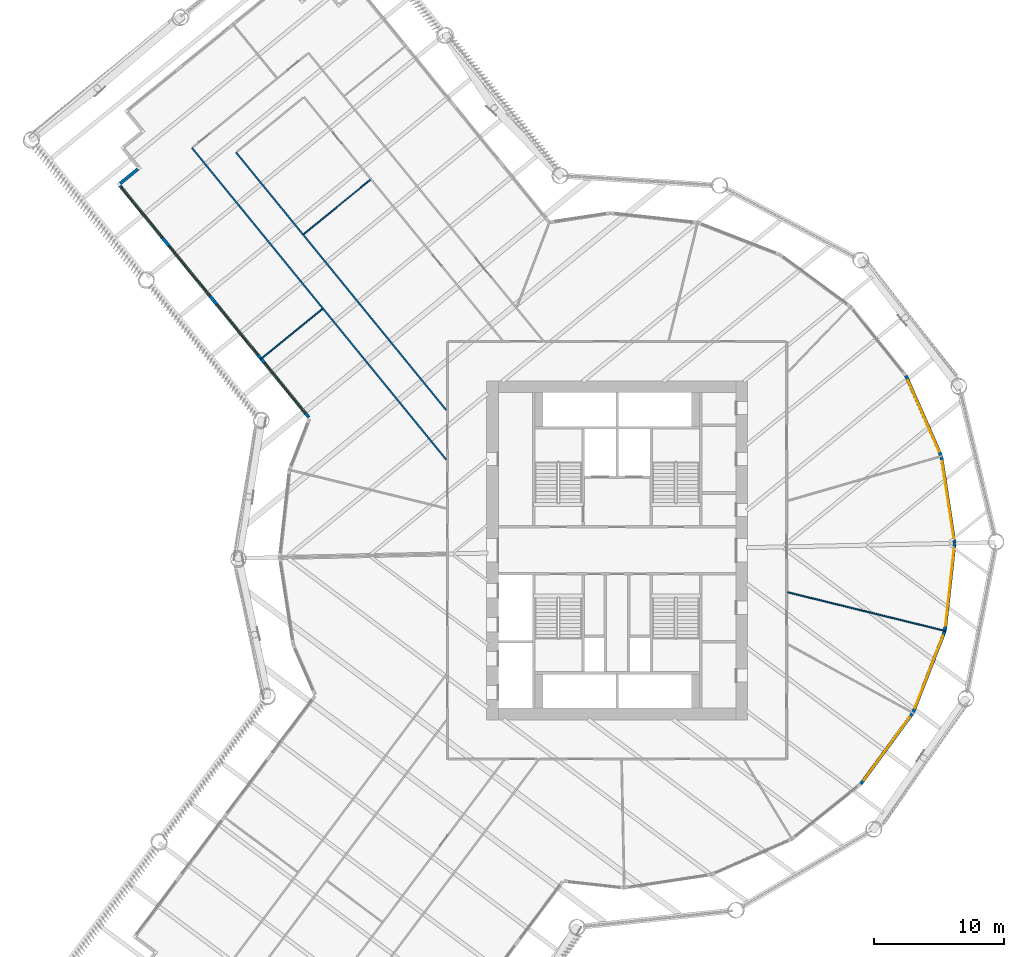
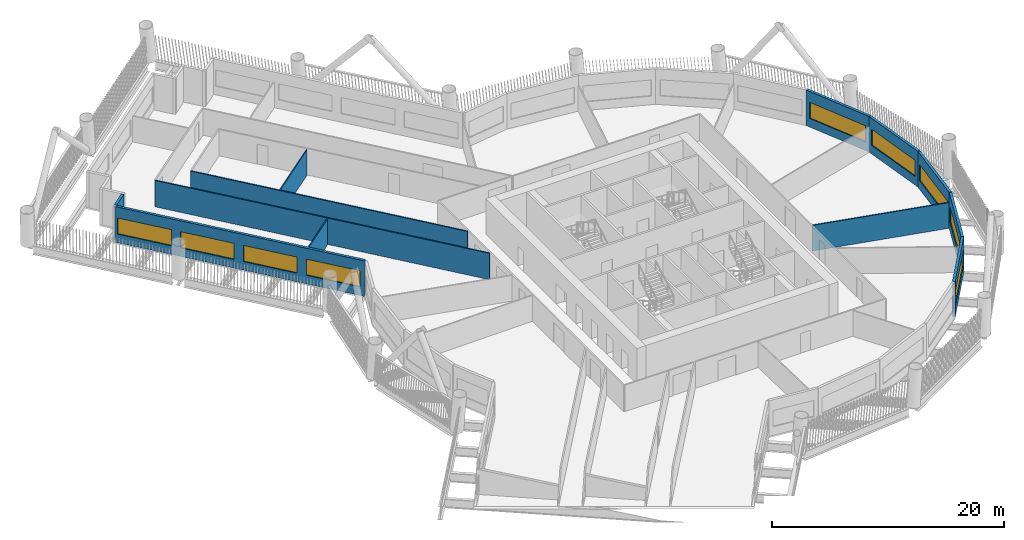
# One storey, part 6 of 22: 12 walls, 9 windows, 9 openings.
"""IFC4 building model written with IfcOpenShell, lengths in metres."""

from ifc_helpers import new_model, si_unit, direction, frame, frame_2d, origin, place, context, subcontext, project, spatial, rectangle, extrude, material, layer, layer_set, type_object, element, fill, save


model = new_model("IFC4")

# Units and contexts
model_context = context("Model", 3, precision=1e-05, world=origin(), true_north=direction((0.0, 1.0)))
body_context = subcontext(model_context, "Body", "Model", "MODEL_VIEW")
ifc_project = project(units=[si_unit("LENGTHUNIT", "METRE"), si_unit("AREAUNIT", "SQUARE_METRE"), si_unit("VOLUMEUNIT", "CUBIC_METRE"), si_unit("PLANEANGLEUNIT", "RADIAN"), si_unit("MASSUNIT", "GRAM", prefix="KILO")], contexts=[model_context])

# Site, building, storey
site_placement = place(None, origin())
site = spatial("IfcSite", under=ifc_project, at=site_placement, CompositionType="ELEMENT")
building_placement = place(site_placement, origin())
building = spatial("IfcBuilding", under=site, at=building_placement, Name="Tarsis Ring Headquarters", CompositionType="ELEMENT")
storey_placement = place(building_placement, frame((0.0, 0.0, 40.0)))
storey = spatial("IfcBuildingStorey", under=building, at=storey_placement, Name="L07", CompositionType="ELEMENT", Elevation=40.0)

# Walls
ifc_material_1 = material(Name="Gypsum board on steel studs", Category="steel")
ifc_layer_1 = layer(ifc_material_1, 0.10009765625)
ifc_layer_set_1 = layer_set([ifc_layer_1], Name="FL partition 100 unrated")
wall_type_1 = type_object("IfcWallType", Name="FL partition 100 unrated", PredefinedType="PARTITIONING", material=ifc_layer_set_1)
wall_1_placement = place(storey_placement, frame((13.068115234375, -3.209716796875, 0.0), z_axis=(0.0, 0.0, 1.0), x_axis=(0.971131100346, -0.238546402071, 0.0)))
element("IfcWall", 1, at=wall_1_placement, inside=storey, type_object=wall_type_1, Name="Partition PW3", PredefinedType="PARTITIONING", context=body_context, shape_type="SweptSolid", body=[
    extrude(rectangle(XDim=12.4912109375, YDim=0.10009765625, at=frame_2d((6.24560546875, 0.0))), origin(), (0.0, 0.0, 1.0), 2.699951171875),
])
wall_2_placement = place(storey_placement, frame((-24.01953125, 24.24560546875, 0.0), z_axis=(0.0, 0.0, 1.0), x_axis=(0.774948231292, 0.632024713771, 0.0)))
element("IfcWall", 2, at=wall_2_placement, inside=storey, type_object=wall_type_1, Name="Partition PW3", PredefinedType="PARTITIONING", context=body_context, shape_type="SweptSolid", body=[
    extrude(rectangle(XDim=6.579833984375, YDim=0.10009765625, at=frame_2d((3.2900390625, 0.0))), origin(), (0.0, 0.0, 1.0), 2.699951171875),
])
wall_3_placement = place(storey_placement, frame((-27.349365234375, 14.626220703125, 0.0), z_axis=(0.0, 0.0, 1.0), x_axis=(0.774953456967, 0.632018306328, 0.0)))
element("IfcWall", 3, at=wall_3_placement, inside=storey, type_object=wall_type_1, Name="Partition PW3", PredefinedType="PARTITIONING", context=body_context, shape_type="SweptSolid", body=[
    extrude(rectangle(XDim=6.119873046875, YDim=0.10009765625, at=frame_2d((3.06005859375, 0.0))), origin(), (0.0, 0.0, 1.0), 2.699951171875),
])
ifc_layer_2 = layer(ifc_material_1, 0.125)
ifc_layer_set_2 = layer_set([ifc_layer_2], Name="FL partition 125 EI 60 H2770")
wall_type_2 = type_object("IfcWallType", Name="FL partition 125 EI 60 H2770", PredefinedType="PARTITIONING", material=ifc_layer_set_2)
wall_4_placement = place(storey_placement, frame((-32.589111328125, 30.844482421875, 0.0), z_axis=(0.0, 0.0, 1.0), x_axis=(0.63203577022, -0.77493921385, 0.0)))
element("IfcWall", 4, at=wall_4_placement, inside=storey, type_object=wall_type_2, Name="Partition PW1", PredefinedType="PARTITIONING", context=body_context, shape_type="SweptSolid", body=[
    extrude(rectangle(XDim=30.833740234375, YDim=0.125, at=frame_2d((15.4169921875, 0.0))), origin(), (0.0, 0.0, 1.0), 2.77001953125),
])
wall_5_placement = place(storey_placement, frame((-29.212158203125, 30.50146484375, 0.0), z_axis=(0.0, 0.0, 1.0), x_axis=(0.632029115537, -0.774944641322, 0.0)))
element("IfcWall", 5, at=wall_5_placement, inside=storey, type_object=wall_type_2, Name="Partition PW1", PredefinedType="PARTITIONING", context=body_context, shape_type="SweptSolid", body=[
    extrude(rectangle(XDim=25.490966796875, YDim=0.125, at=frame_2d((12.74560546875, 0.0))), origin(), (0.0, 0.0, 1.0), 2.77001953125),
])

# Wall, openings, windows
ifc_material_2 = material(Name="Terracotta clad insulated panel wall", Category="masonry")
ifc_layer_3 = layer(ifc_material_2, 0.25)
ifc_layer_set_3 = layer_set([ifc_layer_3], Name="Facade wall terracotta panel 250")
wall_type_3 = type_object("IfcWallType", Name="Facade wall terracotta panel 250", PredefinedType="STANDARD", material=ifc_layer_set_3)
wall_6_placement = place(storey_placement, frame((-38.117919921875, 27.9482421875, 0.0), z_axis=(0.0, 0.0, 1.0), x_axis=(0.632035847141, -0.774939151114, 0.0)))
wall_6 = element("IfcWall", 6, at=wall_6_placement, inside=storey, type_object=wall_type_3, Name="External wall L07-01", PredefinedType="STANDARD", context=body_context, shape_type="SweptSolid", body=[
    extrude(rectangle(XDim=22.922119140625, YDim=0.25, at=frame_2d((11.4609375, 0.0))), origin(), (0.0, 0.0, 1.0), 3.739990234375),
])
opening_1_placement = place(wall_6_placement, frame((0.17138671875, 0.0, 0.89990234375)))
opening_1 = element("IfcOpeningElement", 7, at=opening_1_placement, cuts=wall_6, Name="Opening WN05", PredefinedType="OPENING", context=body_context, shape_type="SweptSolid", body=[
    extrude(rectangle(XDim=4.949951171875, YDim=1.699951171875, at=frame_2d((2.47509765625, 0.85009765625))), frame((0.0, 0.135009765625, 0.0), z_axis=(0.0, -1.0, 0.0), x_axis=(1.0, 0.0, 0.0)), (0.0, 0.0, 1.0), 0.27001953125),
])
opening_2_placement = place(wall_6_placement, frame((5.964599609375, 0.0, 0.89990234375)))
opening_2 = element("IfcOpeningElement", 8, at=opening_2_placement, cuts=wall_6, Name="Opening WN05", PredefinedType="OPENING", context=body_context, shape_type="SweptSolid", body=[
    extrude(rectangle(XDim=4.949951171875, YDim=1.699951171875, at=frame_2d((2.47509765625, 0.85009765625))), frame((0.0, 0.135009765625, 0.0), z_axis=(0.0, -1.0, 0.0), x_axis=(1.0, 0.0, 0.0)), (0.0, 0.0, 1.0), 0.27001953125),
])
opening_3_placement = place(wall_6_placement, frame((11.757568359375, 0.0, 0.89990234375)))
opening_3 = element("IfcOpeningElement", 9, at=opening_3_placement, cuts=wall_6, Name="Opening WN05", PredefinedType="OPENING", context=body_context, shape_type="SweptSolid", body=[
    extrude(rectangle(XDim=4.949951171875, YDim=1.699951171875, at=frame_2d((2.47509765625, 0.85009765625))), frame((0.0, 0.135009765625, 0.0), z_axis=(0.0, -1.0, 0.0), x_axis=(1.0, 0.0, 0.0)), (0.0, 0.0, 1.0), 0.27001953125),
])
opening_4_placement = place(wall_6_placement, frame((17.550537109375, 0.0, 0.89990234375)))
opening_4 = element("IfcOpeningElement", 10, at=opening_4_placement, cuts=wall_6, Name="Opening WN05", PredefinedType="OPENING", context=body_context, shape_type="SweptSolid", body=[
    extrude(rectangle(XDim=4.949951171875, YDim=1.699951171875, at=frame_2d((2.47509765625, 0.85009765625))), frame((0.0, 0.135009765625, 0.0), z_axis=(0.0, -1.0, 0.0), x_axis=(1.0, 0.0, 0.0)), (0.0, 0.0, 1.0), 0.27001953125),
])
ifc_material_3 = material(Name="Aluminium framed double glazing", Category="aluminium")
window_type_1 = type_object("IfcWindowType", Name="Facade window 4950 x 1700", PartitioningType="SINGLE_PANEL", PredefinedType="WINDOW", material=ifc_material_3)
window_1_placement = place(opening_1_placement, origin())
window_1 = element("IfcWindow", 11, at=window_1_placement, inside=storey, type_object=window_type_1, Name="Window L07-01.1", OverallHeight=1.699951171875, OverallWidth=4.949951171875, PartitioningType="SINGLE_PANEL", PredefinedType="WINDOW", context=body_context, shape_type="SweptSolid", body=[
    extrude(rectangle(XDim=4.949951171875, YDim=1.699951171875, at=frame_2d((2.47509765625, 0.85009765625))), frame((0.0, 0.030029296875, 0.0), z_axis=(0.0, -1.0, 0.0), x_axis=(1.0, 0.0, 0.0)), (0.0, 0.0, 1.0), 0.06005859375),
])
fill(opening_1, window_1)
window_2_placement = place(opening_2_placement, origin())
window_2 = element("IfcWindow", 12, at=window_2_placement, inside=storey, type_object=window_type_1, Name="Window L07-01.2", OverallHeight=1.699951171875, OverallWidth=4.949951171875, PartitioningType="SINGLE_PANEL", PredefinedType="WINDOW", context=body_context, shape_type="SweptSolid", body=[
    extrude(rectangle(XDim=4.949951171875, YDim=1.699951171875, at=frame_2d((2.47509765625, 0.85009765625))), frame((0.0, 0.030029296875, 0.0), z_axis=(0.0, -1.0, 0.0), x_axis=(1.0, 0.0, 0.0)), (0.0, 0.0, 1.0), 0.06005859375),
])
fill(opening_2, window_2)
window_3_placement = place(opening_3_placement, origin())
window_3 = element("IfcWindow", 13, at=window_3_placement, inside=storey, type_object=window_type_1, Name="Window L07-01.3", OverallHeight=1.699951171875, OverallWidth=4.949951171875, PartitioningType="SINGLE_PANEL", PredefinedType="WINDOW", context=body_context, shape_type="SweptSolid", body=[
    extrude(rectangle(XDim=4.949951171875, YDim=1.699951171875, at=frame_2d((2.47509765625, 0.85009765625))), frame((0.0, 0.030029296875, 0.0), z_axis=(0.0, -1.0, 0.0), x_axis=(1.0, 0.0, 0.0)), (0.0, 0.0, 1.0), 0.06005859375),
])
fill(opening_3, window_3)
window_4_placement = place(opening_4_placement, origin())
window_4 = element("IfcWindow", 14, at=window_4_placement, inside=storey, type_object=window_type_1, Name="Window L07-01.4", OverallHeight=1.699951171875, OverallWidth=4.949951171875, PartitioningType="SINGLE_PANEL", PredefinedType="WINDOW", context=body_context, shape_type="SweptSolid", body=[
    extrude(rectangle(XDim=4.949951171875, YDim=1.699951171875, at=frame_2d((2.47509765625, 0.85009765625))), frame((0.0, 0.030029296875, 0.0), z_axis=(0.0, -1.0, 0.0), x_axis=(1.0, 0.0, 0.0)), (0.0, 0.0, 1.0), 0.06005859375),
])
fill(opening_4, window_4)

# Wall, opening, window
wall_7_placement = place(storey_placement, frame((18.6845703125, -17.895263671875, 0.0), z_axis=(0.0, 0.0, 1.0), x_axis=(0.592002776723, 0.805935923229, 0.0)))
wall_7 = element("IfcWall", 15, at=wall_7_placement, inside=storey, type_object=wall_type_3, Name="External wall L07-21", PredefinedType="STANDARD", context=body_context, shape_type="SweptSolid", body=[
    extrude(rectangle(XDim=6.7216796875, YDim=0.25, at=frame_2d((3.36083984375, 0.0))), origin(), (0.0, 0.0, 1.0), 3.739990234375),
])
opening_5_placement = place(wall_7_placement, frame((0.3857421875, 0.0, 0.89990234375)))
opening_5 = element("IfcOpeningElement", 16, at=opening_5_placement, cuts=wall_7, Name="Opening WN07", PredefinedType="OPENING", context=body_context, shape_type="SweptSolid", body=[
    extrude(rectangle(XDim=5.949951171875, YDim=1.699951171875, at=frame_2d((2.97509765625, 0.85009765625))), frame((0.0, 0.135009765625, 0.0), z_axis=(0.0, -1.0, 0.0), x_axis=(1.0, 0.0, 0.0)), (0.0, 0.0, 1.0), 0.27001953125),
])
window_type_2 = type_object("IfcWindowType", Name="Facade window 5950 x 1700", PartitioningType="SINGLE_PANEL", PredefinedType="WINDOW", material=ifc_material_3)
window_5_placement = place(opening_5_placement, origin())
window_5 = element("IfcWindow", 17, at=window_5_placement, inside=storey, type_object=window_type_2, Name="Window L07-21.1", OverallHeight=1.699951171875, OverallWidth=5.949951171875, PartitioningType="SINGLE_PANEL", PredefinedType="WINDOW", context=body_context, shape_type="SweptSolid", body=[
    extrude(rectangle(XDim=5.949951171875, YDim=1.699951171875, at=frame_2d((2.97509765625, 0.85009765625))), frame((0.0, 0.030029296875, 0.0), z_axis=(0.0, -1.0, 0.0), x_axis=(1.0, 0.0, 0.0)), (0.0, 0.0, 1.0), 0.06005859375),
])
fill(opening_5, window_5)

wall_8_placement = place(storey_placement, frame((22.679443359375, -12.449462890625, 0.0), z_axis=(0.0, 0.0, 1.0), x_axis=(0.36325416291, 0.931690084271, 0.0)))
wall_8 = element("IfcWall", 18, at=wall_8_placement, inside=storey, type_object=wall_type_3, Name="External wall L07-22", PredefinedType="STANDARD", context=body_context, shape_type="SweptSolid", body=[
    extrude(rectangle(XDim=6.7216796875, YDim=0.25, at=frame_2d((3.36083984375, 0.0))), origin(), (0.0, 0.0, 1.0), 3.739990234375),
])
opening_6_placement = place(wall_8_placement, frame((0.3857421875, 0.0, 0.89990234375)))
opening_6 = element("IfcOpeningElement", 19, at=opening_6_placement, cuts=wall_8, Name="Opening WN07", PredefinedType="OPENING", context=body_context, shape_type="SweptSolid", body=[
    extrude(rectangle(XDim=5.949951171875, YDim=1.699951171875, at=frame_2d((2.97509765625, 0.85009765625))), frame((0.0, 0.135009765625, 0.0), z_axis=(0.0, -1.0, 0.0), x_axis=(1.0, 0.0, 0.0)), (0.0, 0.0, 1.0), 0.27001953125),
])
window_6_placement = place(opening_6_placement, origin())
window_6 = element("IfcWindow", 20, at=window_6_placement, inside=storey, type_object=window_type_2, Name="Window L07-22.1", OverallHeight=1.699951171875, OverallWidth=5.949951171875, PartitioningType="SINGLE_PANEL", PredefinedType="WINDOW", context=body_context, shape_type="SweptSolid", body=[
    extrude(rectangle(XDim=5.949951171875, YDim=1.699951171875, at=frame_2d((2.97509765625, 0.85009765625))), frame((0.0, 0.030029296875, 0.0), z_axis=(0.0, -1.0, 0.0), x_axis=(1.0, 0.0, 0.0)), (0.0, 0.0, 1.0), 0.06005859375),
])
fill(opening_6, window_6)

wall_9_placement = place(storey_placement, frame((25.12890625, -6.155517578125, 0.0), z_axis=(0.0, 0.0, 1.0), x_axis=(0.109729856824, 0.993961447201, 0.0)))
wall_9 = element("IfcWall", 21, at=wall_9_placement, inside=storey, type_object=wall_type_3, Name="External wall L07-23", PredefinedType="STANDARD", context=body_context, shape_type="SweptSolid", body=[
    extrude(rectangle(XDim=6.721435546875, YDim=0.25, at=frame_2d((3.36083984375, 0.0))), origin(), (0.0, 0.0, 1.0), 3.739990234375),
])
opening_7_placement = place(wall_9_placement, frame((0.3857421875, 0.0, 0.89990234375)))
opening_7 = element("IfcOpeningElement", 22, at=opening_7_placement, cuts=wall_9, Name="Opening WN07", PredefinedType="OPENING", context=body_context, shape_type="SweptSolid", body=[
    extrude(rectangle(XDim=5.949951171875, YDim=1.699951171875, at=frame_2d((2.97509765625, 0.85009765625))), frame((0.0, 0.135009765625, 0.0), z_axis=(0.0, -1.0, 0.0), x_axis=(1.0, 0.0, 0.0)), (0.0, 0.0, 1.0), 0.27001953125),
])
window_7_placement = place(opening_7_placement, origin())
window_7 = element("IfcWindow", 23, at=window_7_placement, inside=storey, type_object=window_type_2, Name="Window L07-23.1", OverallHeight=1.699951171875, OverallWidth=5.949951171875, PartitioningType="SINGLE_PANEL", PredefinedType="WINDOW", context=body_context, shape_type="SweptSolid", body=[
    extrude(rectangle(XDim=5.949951171875, YDim=1.699951171875, at=frame_2d((2.97509765625, 0.85009765625))), frame((0.0, 0.030029296875, 0.0), z_axis=(0.0, -1.0, 0.0), x_axis=(1.0, 0.0, 0.0)), (0.0, 0.0, 1.0), 0.06005859375),
])
fill(opening_7, window_7)

wall_10_placement = place(storey_placement, frame((25.86572265625, 0.55810546875, 0.0), z_axis=(0.0, 0.0, 1.0), x_axis=(-0.151243777454, 0.988496494572, 0.0)))
wall_10 = element("IfcWall", 24, at=wall_10_placement, inside=storey, type_object=wall_type_3, Name="External wall L07-24", PredefinedType="STANDARD", context=body_context, shape_type="SweptSolid", body=[
    extrude(rectangle(XDim=6.7216796875, YDim=0.25, at=frame_2d((3.36083984375, 0.0))), origin(), (0.0, 0.0, 1.0), 3.739990234375),
])
opening_8_placement = place(wall_10_placement, frame((0.3857421875, 0.0, 0.89990234375)))
opening_8 = element("IfcOpeningElement", 25, at=opening_8_placement, cuts=wall_10, Name="Opening WN07", PredefinedType="OPENING", context=body_context, shape_type="SweptSolid", body=[
    extrude(rectangle(XDim=5.949951171875, YDim=1.699951171875, at=frame_2d((2.97509765625, 0.85009765625))), frame((0.0, 0.135009765625, 0.0), z_axis=(0.0, -1.0, 0.0), x_axis=(1.0, 0.0, 0.0)), (0.0, 0.0, 1.0), 0.27001953125),
])
window_8_placement = place(opening_8_placement, origin())
window_8 = element("IfcWindow", 26, at=window_8_placement, inside=storey, type_object=window_type_2, Name="Window L07-24.1", OverallHeight=1.699951171875, OverallWidth=5.949951171875, PartitioningType="SINGLE_PANEL", PredefinedType="WINDOW", context=body_context, shape_type="SweptSolid", body=[
    extrude(rectangle(XDim=5.949951171875, YDim=1.699951171875, at=frame_2d((2.97509765625, 0.85009765625))), frame((0.0, 0.030029296875, 0.0), z_axis=(0.0, -1.0, 0.0), x_axis=(1.0, 0.0, 0.0)), (0.0, 0.0, 1.0), 0.06005859375),
])
fill(opening_8, window_8)

wall_11_placement = place(storey_placement, frame((24.83984375, 7.233642578125, 0.0), z_axis=(0.0, 0.0, 1.0), x_axis=(-0.401935098813, 0.915668158419, 0.0)))
wall_11 = element("IfcWall", 27, at=wall_11_placement, inside=storey, type_object=wall_type_3, Name="External wall L07-25", PredefinedType="STANDARD", context=body_context, shape_type="SweptSolid", body=[
    extrude(rectangle(XDim=6.7216796875, YDim=0.25, at=frame_2d((3.36083984375, 0.0))), origin(), (0.0, 0.0, 1.0), 3.739990234375),
])
opening_9_placement = place(wall_11_placement, frame((0.3857421875, 0.0, 0.89990234375)))
opening_9 = element("IfcOpeningElement", 28, at=opening_9_placement, cuts=wall_11, Name="Opening WN07", PredefinedType="OPENING", context=body_context, shape_type="SweptSolid", body=[
    extrude(rectangle(XDim=5.949951171875, YDim=1.699951171875, at=frame_2d((2.97509765625, 0.85009765625))), frame((0.0, 0.135009765625, 0.0), z_axis=(0.0, -1.0, 0.0), x_axis=(1.0, 0.0, 0.0)), (0.0, 0.0, 1.0), 0.27001953125),
])
window_9_placement = place(opening_9_placement, origin())
window_9 = element("IfcWindow", 29, at=window_9_placement, inside=storey, type_object=window_type_2, Name="Window L07-25.1", OverallHeight=1.699951171875, OverallWidth=5.949951171875, PartitioningType="SINGLE_PANEL", PredefinedType="WINDOW", context=body_context, shape_type="SweptSolid", body=[
    extrude(rectangle(XDim=5.949951171875, YDim=1.699951171875, at=frame_2d((2.97509765625, 0.85009765625))), frame((0.0, 0.030029296875, 0.0), z_axis=(0.0, -1.0, 0.0), x_axis=(1.0, 0.0, 0.0)), (0.0, 0.0, 1.0), 0.06005859375),
])
fill(opening_9, window_9)

# Wall
wall_12_placement = place(storey_placement, frame((-36.743896484375, 29.230224609375, 0.0), z_axis=(0.0, 0.0, 1.0), x_axis=(-0.774926164826, -0.632051769294, 0.0)))
element("IfcWall", 30, at=wall_12_placement, inside=storey, type_object=wall_type_3, Name="External wall L07-40", PredefinedType="STANDARD", context=body_context, shape_type="SweptSolid", body=[
    extrude(rectangle(XDim=1.749755859375, YDim=0.25, at=frame_2d((0.875, 0.0))), origin(), (0.0, 0.0, 1.0), 3.739990234375),
])

save(model, "model.ifc")
